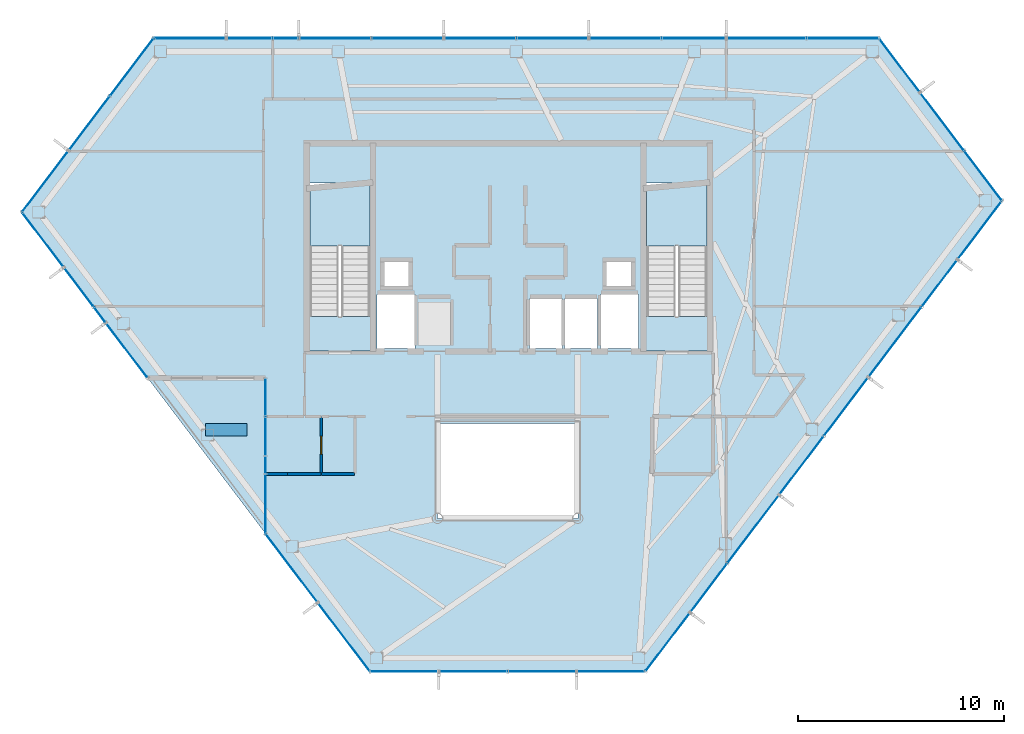
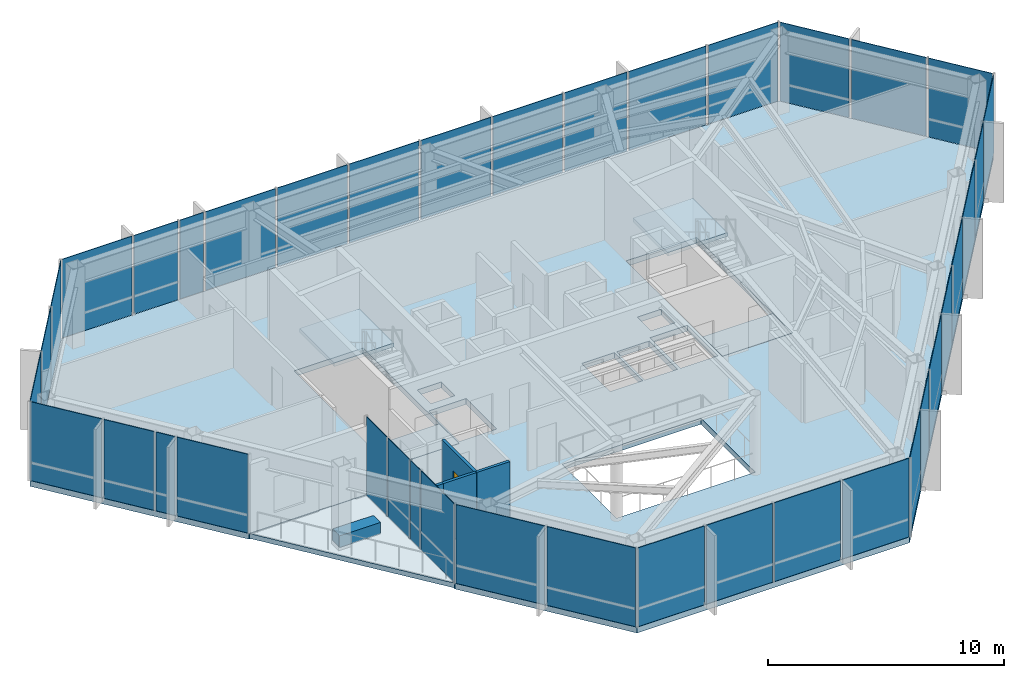
# One storey, part 18 of 23: 39 plates, 6 slabs, 5 walls, 1 door, 1 opening, 10 elements without a shape of their own.
"""IFC4 building model written with IfcOpenShell, lengths in metres."""

from ifc_helpers import new_model, si_unit, direction, frame, frame_2d, origin, origin_2d, place, context, subcontext, project, spatial, polyline, rectangle, outline, extrude, material, layer, layer_set, type_object, element, fill, aggregate, save


model = new_model("IFC4")

# Units and contexts
model_context = context("Model", 3, precision=1e-05, world=origin(), true_north=direction((0.0, 1.0)))
body_context = subcontext(model_context, "Body", "Model", "MODEL_VIEW")
ifc_project = project(units=[si_unit("LENGTHUNIT", "METRE"), si_unit("AREAUNIT", "SQUARE_METRE"), si_unit("VOLUMEUNIT", "CUBIC_METRE"), si_unit("PLANEANGLEUNIT", "RADIAN"), si_unit("MASSUNIT", "GRAM", prefix="KILO")], contexts=[model_context])

# Site, building, storey
site_placement = place(None, origin())
site = spatial("IfcSite", under=ifc_project, at=site_placement, CompositionType="ELEMENT")
building_placement = place(site_placement, origin())
building = spatial("IfcBuilding", under=site, at=building_placement, Name="Zarrinselat Tower", CompositionType="ELEMENT")
storey_placement = place(building_placement, frame((0.0, 0.0, 199.919921875)))
storey = spatial("IfcBuildingStorey", under=building, at=storey_placement, Name="L49", CompositionType="ELEMENT", Elevation=199.919921875)

# Curtain wall, plates
ifc_material_1 = material(Name="Extruded Aluminium Alloy EN AW-6063 T6", Category="aluminium")
ifc_layer_1 = layer(ifc_material_1, 0.195068359375)
ifc_layer_set_1 = layer_set([ifc_layer_1], Name="Extruded Aluminium Alloy EN AW-6063 T6")
curtain_wall_type_1 = type_object("IfcCurtainWallType", Name="CWS-GDN", PredefinedType="NOTDEFINED", material=ifc_layer_set_1)
curtain_wall_1_placement = place(storey_placement, origin())
curtain_wall_1 = element("IfcCurtainWall", 1, at=curtain_wall_1_placement, inside=storey, type_object=curtain_wall_type_1, Name="L49 Unitised Curtain Wall CW-L49-E01", PredefinedType="NOTDEFINED")
ifc_material_2 = material(Name="Double Low-E Laminated Solar Glass", Category="glass")
ifc_layer_2 = layer(ifc_material_2, 0.031982421875)
ifc_layer_set_2 = layer_set([ifc_layer_2], Name="Double Low-E Laminated Solar Glass")
plate_type = type_object("IfcPlateType", Name="PLT-CW-GL32", PredefinedType="CURTAIN_PANEL", material=ifc_layer_set_2)
plate_1_placement = place(storey_placement, frame((15.970703125, 41.547119140625, 0.02001953125), z_axis=(0.0, 0.0, 1.0), x_axis=(0.603857870018, 0.797092010258, 0.0)))
plate_1 = element("IfcPlate", 2, at=plate_1_placement, type_object=plate_type, Name="CW-L49-E01 Vision Glass Panel 1", PredefinedType="CURTAIN_PANEL", context=body_context, shape_type="SweptSolid", body=[
    extrude(rectangle(XDim=3.636474609375, YDim=0.031982421875, at=origin_2d()), origin(), (0.0, 0.0, 1.0), 4.080078125),
])
plate_2_placement = place(storey_placement, frame((18.099853515625, 44.357421875, 0.02001953125), z_axis=(0.0, 0.0, 1.0), x_axis=(0.603857870018, 0.797092010258, 0.0)))
plate_2 = element("IfcPlate", 3, at=plate_2_placement, type_object=plate_type, Name="CW-L49-E01 Vision Glass Panel 2", PredefinedType="CURTAIN_PANEL", context=body_context, shape_type="SweptSolid", body=[
    extrude(rectangle(XDim=3.215087890625, YDim=0.031982421875, at=origin_2d()), origin(), (0.0, 0.0, 1.0), 4.080078125),
])
plate_3_placement = place(storey_placement, frame((20.165283203125, 47.083740234375, 0.02001953125), z_axis=(0.0, 0.0, 1.0), x_axis=(0.603857870018, 0.797092010258, 0.0)))
plate_3 = element("IfcPlate", 4, at=plate_3_placement, type_object=plate_type, Name="CW-L49-E01 Vision Glass Panel 3", PredefinedType="CURTAIN_PANEL", context=body_context, shape_type="SweptSolid", body=[
    extrude(rectangle(XDim=3.42578125, YDim=0.031982421875, at=origin_2d()), origin(), (0.0, 0.0, 1.0), 4.080078125),
])
aggregate(curtain_wall_1, [plate_1, plate_2, plate_3])

curtain_wall_2_placement = place(storey_placement, origin())
curtain_wall_2 = element("IfcCurtainWall", 5, at=curtain_wall_2_placement, inside=storey, type_object=curtain_wall_type_1, Name="L49 Unitised Curtain Wall CW-L49-E02", PredefinedType="NOTDEFINED")
plate_4_placement = place(storey_placement, frame((22.988525390625, 48.489013671875, 0.02001953125), z_axis=(0.0, 0.0, 1.0), x_axis=(1.0, 0.0, 0.0)))
plate_4 = element("IfcPlate", 6, at=plate_4_placement, type_object=plate_type, Name="CW-L49-E02 Vision Glass Panel 1", PredefinedType="CURTAIN_PANEL", context=body_context, shape_type="SweptSolid", body=[
    extrude(rectangle(XDim=3.417236328125, YDim=0.031982421875, at=origin_2d()), origin(), (0.0, 0.0, 1.0), 4.080078125),
])
plate_5_placement = place(storey_placement, frame((25.87353515625, 48.489013671875, 0.02001953125), z_axis=(0.0, 0.0, 1.0), x_axis=(1.0, 0.0, 0.0)))
plate_5 = element("IfcPlate", 7, at=plate_5_placement, type_object=plate_type, Name="CW-L49-E02 Vision Glass Panel 2", PredefinedType="CURTAIN_PANEL", context=body_context, shape_type="SweptSolid", body=[
    extrude(rectangle(XDim=2.15283203125, YDim=0.031982421875, at=origin_2d()), origin(), (0.0, 0.0, 1.0), 4.080078125),
])
plate_6_placement = place(storey_placement, frame((27.632080078125, 48.489013671875, 0.02001953125), z_axis=(0.0, 0.0, 1.0), x_axis=(1.0, 0.0, 0.0)))
plate_6 = element("IfcPlate", 8, at=plate_6_placement, type_object=plate_type, Name="CW-L49-E02 Vision Glass Panel 3", PredefinedType="CURTAIN_PANEL", context=body_context, shape_type="SweptSolid", body=[
    extrude(rectangle(XDim=1.164306640625, YDim=0.031982421875, at=origin_2d()), origin(), (0.0, 0.0, 1.0), 4.080078125),
])
plate_7_placement = place(storey_placement, frame((30.023193359375, 48.489013671875, 0.02001953125), z_axis=(0.0, 0.0, 1.0), x_axis=(1.0, 0.0, 0.0)))
plate_7 = element("IfcPlate", 9, at=plate_7_placement, type_object=plate_type, Name="CW-L49-E02 Vision Glass Panel 4", PredefinedType="CURTAIN_PANEL", context=body_context, shape_type="SweptSolid", body=[
    extrude(rectangle(XDim=3.417236328125, YDim=0.031982421875, at=origin_2d()), origin(), (0.0, 0.0, 1.0), 4.080078125),
])
plate_8_placement = place(storey_placement, frame((33.540283203125, 48.489013671875, 0.02001953125), z_axis=(0.0, 0.0, 1.0), x_axis=(1.0, 0.0, 0.0)))
plate_8 = element("IfcPlate", 10, at=plate_8_placement, type_object=plate_type, Name="CW-L49-E02 Vision Glass Panel 5", PredefinedType="CURTAIN_PANEL", context=body_context, shape_type="SweptSolid", body=[
    extrude(rectangle(XDim=3.417236328125, YDim=0.031982421875, at=origin_2d()), origin(), (0.0, 0.0, 1.0), 4.080078125),
])
plate_9_placement = place(storey_placement, frame((37.0576171875, 48.489013671875, 0.02001953125), z_axis=(0.0, 0.0, 1.0), x_axis=(1.0, 0.0, 0.0)))
plate_9 = element("IfcPlate", 11, at=plate_9_placement, type_object=plate_type, Name="CW-L49-E02 Vision Glass Panel 6", PredefinedType="CURTAIN_PANEL", context=body_context, shape_type="SweptSolid", body=[
    extrude(rectangle(XDim=3.417236328125, YDim=0.031982421875, at=origin_2d()), origin(), (0.0, 0.0, 1.0), 4.080078125),
])
plate_10_placement = place(storey_placement, frame((40.574951171875, 48.489013671875, 0.02001953125), z_axis=(0.0, 0.0, 1.0), x_axis=(1.0, 0.0, 0.0)))
plate_10 = element("IfcPlate", 12, at=plate_10_placement, type_object=plate_type, Name="CW-L49-E02 Vision Glass Panel 7", PredefinedType="CURTAIN_PANEL", context=body_context, shape_type="SweptSolid", body=[
    extrude(rectangle(XDim=3.417236328125, YDim=0.031982421875, at=origin_2d()), origin(), (0.0, 0.0, 1.0), 4.080078125),
])
plate_11_placement = place(storey_placement, frame((44.09228515625, 48.489013671875, 0.02001953125), z_axis=(0.0, 0.0, 1.0), x_axis=(1.0, 0.0, 0.0)))
plate_11 = element("IfcPlate", 13, at=plate_11_placement, type_object=plate_type, Name="CW-L49-E02 Vision Glass Panel 8", PredefinedType="CURTAIN_PANEL", context=body_context, shape_type="SweptSolid", body=[
    extrude(rectangle(XDim=3.417236328125, YDim=0.031982421875, at=origin_2d()), origin(), (0.0, 0.0, 1.0), 4.080078125),
])
plate_12_placement = place(storey_placement, frame((47.42529296875, 48.489013671875, 0.02001953125), z_axis=(0.0, 0.0, 1.0), x_axis=(1.0, 0.0, 0.0)))
plate_12 = element("IfcPlate", 14, at=plate_12_placement, type_object=plate_type, Name="CW-L49-E02 Vision Glass Panel 9", PredefinedType="CURTAIN_PANEL", context=body_context, shape_type="SweptSolid", body=[
    extrude(rectangle(XDim=3.04931640625, YDim=0.031982421875, at=origin_2d()), origin(), (0.0, 0.0, 1.0), 4.080078125),
])
plate_13_placement = place(storey_placement, frame((50.942626953125, 48.489013671875, 0.02001953125), z_axis=(0.0, 0.0, 1.0), x_axis=(1.0, 0.0, 0.0)))
plate_13 = element("IfcPlate", 15, at=plate_13_placement, type_object=plate_type, Name="CW-L49-E02 Vision Glass Panel 10", PredefinedType="CURTAIN_PANEL", context=body_context, shape_type="SweptSolid", body=[
    extrude(rectangle(XDim=3.785400390625, YDim=0.031982421875, at=origin_2d()), origin(), (0.0, 0.0, 1.0), 4.080078125),
])
plate_14_placement = place(storey_placement, frame((54.64404296875, 48.489013671875, 0.02001953125), z_axis=(0.0, 0.0, 1.0), x_axis=(1.0, 0.0, 0.0)))
plate_14 = element("IfcPlate", 16, at=plate_14_placement, type_object=plate_type, Name="CW-L49-E02 Vision Glass Panel 11", PredefinedType="CURTAIN_PANEL", context=body_context, shape_type="SweptSolid", body=[
    extrude(rectangle(XDim=3.417236328125, YDim=0.031982421875, at=origin_2d()), origin(), (0.0, 0.0, 1.0), 4.080078125),
])
aggregate(curtain_wall_2, [plate_4, plate_5, plate_6, plate_7, plate_8, plate_9, plate_10, plate_11, plate_12, plate_13, plate_14])

curtain_wall_3_placement = place(storey_placement, origin())
curtain_wall_3 = element("IfcCurtainWall", 17, at=curtain_wall_3_placement, inside=storey, type_object=curtain_wall_type_1, Name="L49 Unitised Curtain Wall CW-L49-E03", PredefinedType="NOTDEFINED")
plate_15_placement = place(storey_placement, frame((57.397705078125, 47.17529296875, 0.02001953125), z_axis=(0.0, 0.0, 1.0), x_axis=(0.603852236026, -0.797096278405, 0.0)))
plate_15 = element("IfcPlate", 18, at=plate_15_placement, type_object=plate_type, Name="CW-L49-E03 Vision Glass Panel 1", PredefinedType="CURTAIN_PANEL", context=body_context, shape_type="SweptSolid", body=[
    extrude(rectangle(XDim=3.196044921875, YDim=0.031982421875, at=origin_2d()), origin(), (0.0, 0.0, 1.0), 4.080078125),
])
plate_16_placement = place(storey_placement, frame((59.463134765625, 44.448974609375, 0.02001953125), z_axis=(0.0, 0.0, 1.0), x_axis=(0.603852236026, -0.797096278405, 0.0)))
plate_16 = element("IfcPlate", 19, at=plate_16_placement, type_object=plate_type, Name="CW-L49-E03 Vision Glass Panel 2", PredefinedType="CURTAIN_PANEL", context=body_context, shape_type="SweptSolid", body=[
    extrude(rectangle(XDim=3.44482421875, YDim=0.031982421875, at=origin_2d()), origin(), (0.0, 0.0, 1.0), 4.080078125),
])
plate_17_placement = place(storey_placement, frame((61.45361328125, 41.82177734375, 0.02001953125), z_axis=(0.0, 0.0, 1.0), x_axis=(0.603852236026, -0.797096278405, 0.0)))
plate_17 = element("IfcPlate", 20, at=plate_17_placement, type_object=plate_type, Name="CW-L49-E03 Vision Glass Panel 3", PredefinedType="CURTAIN_PANEL", context=body_context, shape_type="SweptSolid", body=[
    extrude(rectangle(XDim=2.947265625, YDim=0.031982421875, at=origin_2d()), origin(), (0.0, 0.0, 1.0), 4.080078125),
])
aggregate(curtain_wall_3, [plate_15, plate_16, plate_17])

curtain_wall_4_placement = place(storey_placement, origin())
curtain_wall_4 = element("IfcCurtainWall", 21, at=curtain_wall_4_placement, inside=storey, type_object=curtain_wall_type_1, Name="L49 Unitised Curtain Wall CW-L49-E04", PredefinedType="NOTDEFINED")
plate_18_placement = place(storey_placement, frame((61.292724609375, 39.1806640625, 0.02001953125), z_axis=(0.0, 0.0, 1.0), x_axis=(-0.603858158606, -0.79709179163, 0.0)))
plate_18 = element("IfcPlate", 22, at=plate_18_placement, type_object=plate_type, Name="CW-L49-E04 Vision Glass Panel 1", PredefinedType="CURTAIN_PANEL", context=body_context, shape_type="SweptSolid", body=[
    extrude(rectangle(XDim=3.479736328125, YDim=0.031982421875, at=origin_2d()), origin(), (0.0, 0.0, 1.0), 4.080078125),
])
plate_19_placement = place(storey_placement, frame((59.344482421875, 36.60888671875, 0.02001953125), z_axis=(0.0, 0.0, 1.0), x_axis=(-0.603858158606, -0.79709179163, 0.0)))
plate_19 = element("IfcPlate", 23, at=plate_19_placement, type_object=plate_type, Name="CW-L49-E04 Vision Glass Panel 2", PredefinedType="CURTAIN_PANEL", context=body_context, shape_type="SweptSolid", body=[
    extrude(rectangle(XDim=2.773193359375, YDim=0.031982421875, at=origin_2d()), origin(), (0.0, 0.0, 1.0), 4.080078125),
])
plate_20_placement = place(storey_placement, frame((57.182861328125, 33.755615234375, 0.02001953125), z_axis=(0.0, 0.0, 1.0), x_axis=(-0.603858158606, -0.79709179163, 0.0)))
plate_20 = element("IfcPlate", 24, at=plate_20_placement, type_object=plate_type, Name="CW-L49-E04 Vision Glass Panel 3", PredefinedType="CURTAIN_PANEL", context=body_context, shape_type="SweptSolid", body=[
    extrude(rectangle(XDim=4.186279296875, YDim=0.031982421875, at=origin_2d()), origin(), (0.0, 0.0, 1.0), 4.080078125),
])
plate_21_placement = place(storey_placement, frame((54.807861328125, 30.62060546875, 0.02001953125), z_axis=(0.0, 0.0, 1.0), x_axis=(-0.603858158606, -0.79709179163, 0.0)))
plate_21 = element("IfcPlate", 25, at=plate_21_placement, type_object=plate_type, Name="CW-L49-E04 Vision Glass Panel 4", PredefinedType="CURTAIN_PANEL", context=body_context, shape_type="SweptSolid", body=[
    extrude(rectangle(XDim=3.479736328125, YDim=0.031982421875, at=origin_2d()), origin(), (0.0, 0.0, 1.0), 4.080078125),
])
plate_22_placement = place(storey_placement, frame((52.646240234375, 27.767333984375, 0.02001953125), z_axis=(0.0, 0.0, 1.0), x_axis=(-0.603858158606, -0.79709179163, 0.0)))
plate_22 = element("IfcPlate", 26, at=plate_22_placement, type_object=plate_type, Name="CW-L49-E04 Vision Glass Panel 5", PredefinedType="CURTAIN_PANEL", context=body_context, shape_type="SweptSolid", body=[
    extrude(rectangle(XDim=3.479736328125, YDim=0.031982421875, at=origin_2d()), origin(), (0.0, 0.0, 1.0), 4.080078125),
])
plate_23_placement = place(storey_placement, frame((50.306640625, 24.67919921875, 0.02001953125), z_axis=(0.0, 0.0, 1.0), x_axis=(-0.603858158606, -0.79709179163, 0.0)))
plate_23 = element("IfcPlate", 27, at=plate_23_placement, type_object=plate_type, Name="CW-L49-E04 Vision Glass Panel 6", PredefinedType="CURTAIN_PANEL", context=body_context, shape_type="SweptSolid", body=[
    extrude(rectangle(XDim=4.069091796875, YDim=0.031982421875, at=origin_2d()), origin(), (0.0, 0.0, 1.0), 4.080078125),
])
plate_24_placement = place(storey_placement, frame((48.14501953125, 21.82568359375, 0.02001953125), z_axis=(0.0, 0.0, 1.0), x_axis=(-0.603858158606, -0.79709179163, 0.0)))
plate_24 = element("IfcPlate", 28, at=plate_24_placement, type_object=plate_type, Name="CW-L49-E04 Vision Glass Panel 7", PredefinedType="CURTAIN_PANEL", context=body_context, shape_type="SweptSolid", body=[
    extrude(rectangle(XDim=2.89013671875, YDim=0.031982421875, at=origin_2d()), origin(), (0.0, 0.0, 1.0), 4.080078125),
])
plate_25_placement = place(storey_placement, frame((46.161376953125, 19.20751953125, 0.02001953125), z_axis=(0.0, 0.0, 1.0), x_axis=(-0.603858158606, -0.79709179163, 0.0)))
plate_25 = element("IfcPlate", 29, at=plate_25_placement, type_object=plate_type, Name="CW-L49-E04 Vision Glass Panel 8", PredefinedType="CURTAIN_PANEL", context=body_context, shape_type="SweptSolid", body=[
    extrude(rectangle(XDim=3.479736328125, YDim=0.031982421875, at=origin_2d()), origin(), (0.0, 0.0, 1.0), 4.080078125),
])
aggregate(curtain_wall_4, [plate_18, plate_19, plate_20, plate_21, plate_22, plate_23, plate_24, plate_25])

curtain_wall_5_placement = place(storey_placement, origin())
curtain_wall_5 = element("IfcCurtainWall", 30, at=curtain_wall_5_placement, inside=storey, type_object=curtain_wall_type_1, Name="L49 Unitised Curtain Wall CW-L49-E05", PredefinedType="NOTDEFINED")
plate_26_placement = place(storey_placement, frame((43.410400390625, 17.78076171875, 0.02001953125), z_axis=(0.0, 0.0, 1.0), x_axis=(-1.0, 0.0, 0.0)))
plate_26 = element("IfcPlate", 31, at=plate_26_placement, type_object=plate_type, Name="CW-L49-E05 Vision Glass Panel 1", PredefinedType="CURTAIN_PANEL", context=body_context, shape_type="SweptSolid", body=[
    extrude(rectangle(XDim=3.240234375, YDim=0.031982421875, at=origin_2d()), origin(), (0.0, 0.0, 1.0), 4.080078125),
])
plate_27_placement = place(storey_placement, frame((40.070068359375, 17.78076171875, 0.02001953125), z_axis=(0.0, 0.0, 1.0), x_axis=(-1.0, 0.0, 0.0)))
plate_27 = element("IfcPlate", 32, at=plate_27_placement, type_object=plate_type, Name="CW-L49-E05 Vision Glass Panel 2", PredefinedType="CURTAIN_PANEL", context=body_context, shape_type="SweptSolid", body=[
    extrude(rectangle(XDim=3.240234375, YDim=0.031982421875, at=origin_2d()), origin(), (0.0, 0.0, 1.0), 4.080078125),
])
plate_28_placement = place(storey_placement, frame((36.729736328125, 17.78076171875, 0.02001953125), z_axis=(0.0, 0.0, 1.0), x_axis=(-1.0, 0.0, 0.0)))
plate_28 = element("IfcPlate", 33, at=plate_28_placement, type_object=plate_type, Name="CW-L49-E05 Vision Glass Panel 3", PredefinedType="CURTAIN_PANEL", context=body_context, shape_type="SweptSolid", body=[
    extrude(rectangle(XDim=3.240234375, YDim=0.031982421875, at=origin_2d()), origin(), (0.0, 0.0, 1.0), 4.080078125),
])
plate_29_placement = place(storey_placement, frame((33.389404296875, 17.78076171875, 0.02001953125), z_axis=(0.0, 0.0, 1.0), x_axis=(-1.0, 0.0, 0.0)))
plate_29 = element("IfcPlate", 34, at=plate_29_placement, type_object=plate_type, Name="CW-L49-E05 Vision Glass Panel 4", PredefinedType="CURTAIN_PANEL", context=body_context, shape_type="SweptSolid", body=[
    extrude(rectangle(XDim=3.240234375, YDim=0.031982421875, at=origin_2d()), origin(), (0.0, 0.0, 1.0), 4.080078125),
])
aggregate(curtain_wall_5, [plate_26, plate_27, plate_28, plate_29])

curtain_wall_6_placement = place(storey_placement, origin())
curtain_wall_6 = element("IfcCurtainWall", 35, at=curtain_wall_6_placement, inside=storey, type_object=curtain_wall_type_1, Name="L49 Unitised Curtain Wall CW-L49-E06", PredefinedType="NOTDEFINED")
plate_30_placement = place(storey_placement, frame((30.4541015625, 19.451171875, 0.02001953125), z_axis=(0.0, 0.0, 1.0), x_axis=(-0.603858445775, 0.797091574078, 0.0)))
plate_30 = element("IfcPlate", 36, at=plate_30_placement, type_object=plate_type, Name="CW-L49-E06 Vision Glass Panel 1", PredefinedType="CURTAIN_PANEL", context=body_context, shape_type="SweptSolid", body=[
    extrude(rectangle(XDim=4.091064453125, YDim=0.031982421875, at=origin_2d()), origin(), (0.0, 0.0, 1.0), 4.080078125),
])
plate_31_placement = place(storey_placement, frame((27.923095703125, 22.791748046875, 0.02001953125), z_axis=(0.0, 0.0, 1.0), x_axis=(-0.603858445775, 0.797091574078, 0.0)))
plate_31 = element("IfcPlate", 37, at=plate_31_placement, type_object=plate_type, Name="CW-L49-E06 Vision Glass Panel 2", PredefinedType="CURTAIN_PANEL", context=body_context, shape_type="SweptSolid", body=[
    extrude(rectangle(XDim=4.091064453125, YDim=0.031982421875, at=origin_2d()), origin(), (0.0, 0.0, 1.0), 4.080078125),
])
aggregate(curtain_wall_6, [plate_30, plate_31])

ifc_material_3 = material(Name="Extruded Aluminium Alloy EN AW-6063 T6", Category="aluminium")
ifc_layer_3 = layer(ifc_material_3, 0.18994140625)
ifc_layer_set_3 = layer_set([ifc_layer_3], Name="Extruded Aluminium Alloy EN AW-6063 T6")
curtain_wall_type_2 = type_object("IfcCurtainWallType", Name="CWS-SG", PredefinedType="NOTDEFINED", material=ifc_layer_set_3)
curtain_wall_7_placement = place(storey_placement, origin())
curtain_wall_7 = element("IfcCurtainWall", 38, at=curtain_wall_7_placement, inside=storey, type_object=curtain_wall_type_2, Name="L49 Unitised Curtain Wall CW-L49-E07", PredefinedType="NOTDEFINED")
plate_32_placement = place(storey_placement, frame((26.65771484375, 25.906005859375, 0.02001953125), z_axis=(0.0, 0.0, 1.0), x_axis=(0.0, 1.0, 0.0)))
plate_32 = element("IfcPlate", 39, at=plate_32_placement, type_object=plate_type, Name="CW-L49-E07 Vision Glass Panel 1", PredefinedType="CURTAIN_PANEL", context=body_context, shape_type="SweptSolid", body=[
    extrude(rectangle(XDim=2.787841796875, YDim=0.031982421875, at=origin_2d()), origin(), (0.0, 0.0, 1.0), 4.080078125),
])
plate_33_placement = place(storey_placement, frame((26.65771484375, 27.79052734375, 0.02001953125), z_axis=(0.0, 0.0, 1.0), x_axis=(0.0, 1.0, 0.0)))
plate_33 = element("IfcPlate", 40, at=plate_33_placement, type_object=plate_type, Name="CW-L49-E07 Vision Glass Panel 2", PredefinedType="CURTAIN_PANEL", context=body_context, shape_type="SweptSolid", body=[
    extrude(rectangle(XDim=0.781005859375, YDim=0.031982421875, at=origin_2d()), origin(), (0.0, 0.0, 1.0), 4.080078125),
])
plate_34_placement = place(storey_placement, frame((26.65771484375, 29.1904296875, 0.02001953125), z_axis=(0.0, 0.0, 1.0), x_axis=(0.0, 1.0, 0.0)))
plate_34 = element("IfcPlate", 41, at=plate_34_placement, type_object=plate_type, Name="CW-L49-E07 Vision Glass Panel 3", PredefinedType="CURTAIN_PANEL", context=body_context, shape_type="SweptSolid", body=[
    extrude(rectangle(XDim=1.81884765625, YDim=0.031982421875, at=origin_2d()), origin(), (0.0, 0.0, 1.0), 4.080078125),
])
plate_35_placement = place(storey_placement, frame((26.65771484375, 31.074951171875, 0.02001953125), z_axis=(0.0, 0.0, 1.0), x_axis=(0.0, 1.0, 0.0)))
plate_35 = element("IfcPlate", 42, at=plate_35_placement, type_object=plate_type, Name="CW-L49-E07 Vision Glass Panel 4", PredefinedType="CURTAIN_PANEL", context=body_context, shape_type="SweptSolid", body=[
    extrude(rectangle(XDim=1.75, YDim=0.031982421875, at=origin_2d()), origin(), (0.0, 0.0, 1.0), 4.080078125),
])
aggregate(curtain_wall_7, [plate_32, plate_33, plate_34, plate_35])

curtain_wall_8_placement = place(storey_placement, origin())
curtain_wall_8 = element("IfcCurtainWall", 43, at=curtain_wall_8_placement, inside=storey, type_object=curtain_wall_type_1, Name="L49 Unitised Curtain Wall CW-L49-E25", PredefinedType="NOTDEFINED")
plate_36_placement = place(storey_placement, frame((19.92041015625, 33.35546875, 0.02001953125), z_axis=(0.0, 0.0, 1.0), x_axis=(-0.603858445775, 0.797091574078, 0.0)))
plate_36 = element("IfcPlate", 44, at=plate_36_placement, type_object=plate_type, Name="CW-L49-E25 Vision Glass Panel 1", PredefinedType="CURTAIN_PANEL", context=body_context, shape_type="SweptSolid", body=[
    extrude(rectangle(XDim=3.263427734375, YDim=0.031982421875, at=origin_2d()), origin(), (0.0, 0.0, 1.0), 4.080078125),
])
plate_37_placement = place(storey_placement, frame((18.614013671875, 35.079833984375, 0.02001953125), z_axis=(0.0, 0.0, 1.0), x_axis=(-0.603858445775, 0.797091574078, 0.0)))
plate_37 = element("IfcPlate", 45, at=plate_37_placement, type_object=plate_type, Name="CW-L49-E25 Vision Glass Panel 2", PredefinedType="CURTAIN_PANEL", context=body_context, shape_type="SweptSolid", body=[
    extrude(rectangle(XDim=0.86328125, YDim=0.031982421875, at=origin_2d()), origin(), (0.0, 0.0, 1.0), 4.080078125),
])
plate_38_placement = place(storey_placement, frame((17.598388671875, 36.42041015625, 0.02001953125), z_axis=(0.0, 0.0, 1.0), x_axis=(-0.603858445775, 0.797091574078, 0.0)))
plate_38 = element("IfcPlate", 46, at=plate_38_placement, type_object=plate_type, Name="CW-L49-E25 Vision Glass Panel 3", PredefinedType="CURTAIN_PANEL", context=body_context, shape_type="SweptSolid", body=[
    extrude(rectangle(XDim=2.30029296875, YDim=0.031982421875, at=origin_2d()), origin(), (0.0, 0.0, 1.0), 4.080078125),
])
plate_39_placement = place(storey_placement, frame((15.858154296875, 38.71728515625, 0.02001953125), z_axis=(0.0, 0.0, 1.0), x_axis=(-0.603858445775, 0.797091574078, 0.0)))
plate_39 = element("IfcPlate", 47, at=plate_39_placement, type_object=plate_type, Name="CW-L49-E25 Vision Glass Panel 4", PredefinedType="CURTAIN_PANEL", context=body_context, shape_type="SweptSolid", body=[
    extrude(rectangle(XDim=3.263427734375, YDim=0.031982421875, at=origin_2d()), origin(), (0.0, 0.0, 1.0), 4.080078125),
])
aggregate(curtain_wall_8, [plate_36, plate_37, plate_38, plate_39])

# Slabs
ifc_material_4 = material(Name="Concrete C40/50", Category="concrete")
ifc_layer_4 = layer(ifc_material_4, 0.300048828125)
ifc_layer_set_4 = layer_set([ifc_layer_4], Name="Concrete C40/50")
slab_type_1 = type_object("IfcSlabType", Name="SLB-FLOOR-300-SL-SK300", PredefinedType="FLOOR", material=ifc_layer_set_4)
slab_1_placement = place(storey_placement, frame((0.0, 0.0, -0.2998046875)))
element("IfcSlab", 48, at=slab_1_placement, inside=storey, type_object=slab_type_1, Name="L49 Primary Structural Slab", PredefinedType="FLOOR", context=body_context, shape_type="SweptSolid", body=[
    extrude(outline(polyline([(14.8427734375, 40.057861328125), (21.22998046875, 48.489013671875), (56.402587890625, 48.489013671875), (62.37353515625, 40.607421875), (45.08056640625, 17.78076171875), (31.719482421875, 17.78076171875), (26.65771484375, 24.462158203125), (26.65771484375, 32.0), (26.65771484375, 32.00146484375), (26.657470703125, 32.0029296875), (26.656982421875, 32.00439453125), (26.656494140625, 32.005615234375), (26.656005859375, 32.007080078125), (26.6552734375, 32.00830078125), (26.654296875, 32.009521484375), (26.6533203125, 32.010498046875), (26.652099609375, 32.01171875), (26.65087890625, 32.012451171875), (26.64990234375, 32.01318359375), (26.6484375, 32.013916015625), (26.647216796875, 32.014404296875), (26.6455078125, 32.0146484375), (26.644287109375, 32.014892578125), (26.642578125, 32.014892578125), (20.935791015625, 32.014892578125), (14.8427734375, 40.057861328125)]), holes=[polyline([(41.800048828125, 25.199951171875), (35.0, 25.199951171875), (35.0, 29.800048828125), (41.800048828125, 29.800048828125), (41.800048828125, 25.199951171875)]), polyline([(41.050048828125, 33.449951171875), (39.449951171875, 33.449951171875), (39.449951171875, 35.85009765625), (41.050048828125, 35.85009765625), (41.050048828125, 33.449951171875)]), polyline([(42.75, 33.449951171875), (41.14990234375, 33.449951171875), (41.14990234375, 35.85009765625), (42.75, 35.85009765625), (42.75, 33.449951171875)]), polyline([(33.89990234375, 33.449951171875), (32.06005859375, 33.449951171875), (32.06005859375, 36.050048828125), (33.89990234375, 36.050048828125), (33.89990234375, 33.449951171875)]), polyline([(44.739990234375, 33.449951171875), (42.89990234375, 33.449951171875), (42.89990234375, 36.050048828125), (44.739990234375, 36.050048828125), (44.739990234375, 33.449951171875)]), polyline([(33.60009765625, 36.47998046875), (32.419921875, 36.47998046875), (32.419921875, 37.639892578125), (33.60009765625, 37.639892578125), (33.60009765625, 36.47998046875)]), polyline([(44.3798828125, 36.47998046875), (43.199951171875, 36.47998046875), (43.199951171875, 37.639892578125), (44.3798828125, 37.639892578125), (44.3798828125, 36.47998046875)]), polyline([(31.985107421875, 33.324951171875), (28.60498046875, 33.324951171875), (28.60498046875, 41.47509765625), (31.985107421875, 41.47509765625), (31.985107421875, 33.324951171875)]), polyline([(48.324951171875, 33.324951171875), (44.875, 33.324951171875), (44.875, 41.47509765625), (48.324951171875, 41.47509765625), (48.324951171875, 33.324951171875)])]), origin(), (0.0, 0.0, 1.0), 0.2998046875),
])
slab_2_placement = place(storey_placement, frame((0.0, 0.0, -0.2998046875)))
element("IfcSlab", 49, at=slab_2_placement, inside=storey, type_object=slab_type_1, Name="L49 Stair ST-1-FL1 Structural Floor Landing", PredefinedType="FLOOR", context=body_context, shape_type="SweptSolid", body=[
    extrude(outline(polyline([(31.97998046875, 33.330078125), (31.97998046875, 35.0), (28.610107421875, 35.0), (28.610107421875, 33.330078125), (31.97998046875, 33.330078125)])), origin(), (0.0, 0.0, 1.0), 0.2998046875),
])
slab_3_placement = place(storey_placement, frame((0.0, 0.0, -0.2998046875)))
element("IfcSlab", 50, at=slab_3_placement, inside=storey, type_object=slab_type_1, Name="L49 Stair ST-2-FL1 Structural Floor Landing", PredefinedType="FLOOR", context=body_context, shape_type="SweptSolid", body=[
    extrude(outline(polyline([(48.320068359375, 33.330078125), (48.320068359375, 35.0), (44.8798828125, 35.0), (44.8798828125, 33.330078125), (48.320068359375, 33.330078125)])), origin(), (0.0, 0.0, 1.0), 0.2998046875),
])

# Stair, slab
ifc_material_5 = material(Name="Concrete C40/50", Category="concrete")
stair_type = type_object("IfcStairType", Name="STR-CORE-155", PredefinedType="HALF_TURN_STAIR", material=ifc_material_5)
stair_1_placement = place(storey_placement, origin())
stair_1 = element("IfcStair", 51, at=stair_1_placement, inside=storey, type_object=stair_type, Name="L49 Core Exit Stair 1", PredefinedType="HALF_TURN_STAIR")
ifc_material_6 = material(Name="Concrete C40/50", Category="concrete")
ifc_layer_5 = layer(ifc_material_6, 0.18994140625)
ifc_layer_set_5 = layer_set([ifc_layer_5], Name="Concrete C40/50")
slab_type_2 = type_object("IfcSlabType", Name="SLB-LND-190", PredefinedType="LANDING", material=ifc_layer_set_5)
slab_4_placement = place(storey_placement, frame((0.0, 0.0, 2.010009765625)))
slab_4 = element("IfcSlab", 52, at=slab_4_placement, type_object=slab_type_2, Name="ST-1 landing 1", PredefinedType="LANDING", context=body_context, shape_type="SweptSolid", body=[
    extrude(outline(polyline([(31.719970703125, 38.409912109375), (31.719970703125, 41.35009765625), (28.800048828125, 41.35009765625), (28.800048828125, 38.409912109375), (31.719970703125, 38.409912109375)])), origin(), (0.0, 0.0, 1.0), 0.199951171875),
])
aggregate(stair_1, [slab_4])

stair_2_placement = place(storey_placement, origin())
stair_2 = element("IfcStair", 53, at=stair_2_placement, inside=storey, type_object=stair_type, Name="L49 Core Exit Stair 2", PredefinedType="HALF_TURN_STAIR")
slab_5_placement = place(storey_placement, frame((0.0, 0.0, 2.010009765625)))
slab_5 = element("IfcSlab", 54, at=slab_5_placement, type_object=slab_type_2, Name="ST-2 landing 1", PredefinedType="LANDING", context=body_context, shape_type="SweptSolid", body=[
    extrude(outline(polyline([(48.06005859375, 38.409912109375), (48.06005859375, 41.35009765625), (45.139892578125, 41.35009765625), (45.139892578125, 38.409912109375), (48.06005859375, 38.409912109375)])), origin(), (0.0, 0.0, 1.0), 0.199951171875),
])
aggregate(stair_2, [slab_5])

# Slab
ifc_material_7 = material(Name="Concrete C40/50", Category="concrete")
ifc_layer_6 = layer(ifc_material_7, 0.25)
ifc_layer_set_6 = layer_set([ifc_layer_6], Name="Concrete C40/50")
slab_type_3 = type_object("IfcSlabType", Name="SLB-ROOF-250-SL-SG250", PredefinedType="ROOF", material=ifc_layer_set_6)
slab_6_placement = place(storey_placement, frame((0.0, 0.0, -0.25)))
element("IfcSlab", 55, at=slab_6_placement, inside=storey, type_object=slab_type_3, Name="L49 Badgir Sky Garden 4 Terrace Slab", PredefinedType="ROOF", context=body_context, shape_type="SweptSolid", body=[
    extrude(outline(polyline([(20.947265625, 32.0), (26.642578125, 32.0), (26.642578125, 24.48193359375), (20.947265625, 32.0)])), origin(), (0.0, 0.0, 1.0), 0.25),
])

# Wall, opening, door
ifc_material_8 = material(Name="Fire-Rated Gypsum Board Partition", Category="gypsum")
ifc_layer_7 = layer(ifc_material_8, 0.135009765625)
ifc_layer_set_7 = layer_set([ifc_layer_7], Name="Fire-Rated Gypsum Board Partition")
wall_type_1 = type_object("IfcWallType", Name="WAL-PART-WET", PredefinedType="PARTITIONING", material=ifc_layer_set_7)
wall_1_placement = place(storey_placement, frame((29.360107421875, 27.3701171875, 0.0), z_axis=(0.0, 0.0, 1.0), x_axis=(0.0, 1.0, 0.0)))
wall_1 = element("IfcWall", 56, at=wall_1_placement, inside=storey, type_object=wall_type_1, Name="L49 Partition Wall 39", PredefinedType="PARTITIONING", context=body_context, shape_type="SweptSolid", body=[
    extrude(rectangle(XDim=2.759765625, YDim=0.135009765625, at=frame_2d((1.3798828125, 0.0))), origin(), (0.0, 0.0, 1.0), 3.0771484375),
])
opening_placement = place(wall_1_placement, frame((0.949951171875, 0.0, 0.0)))
opening = element("IfcOpeningElement", 57, at=opening_placement, cuts=wall_1, Name="Opening ID-06", PredefinedType="OPENING", context=body_context, shape_type="SweptSolid", body=[
    extrude(rectangle(XDim=0.860107421875, YDim=2.050048828125, at=frame_2d((0.43017578125, 1.02490234375))), frame((0.0, 0.077392578125, 0.0), z_axis=(0.0, -1.0, 0.0), x_axis=(1.0, 0.0, 0.0)), (0.0, 0.0, 1.0), 0.155029296875),
])
ifc_material_9 = material(Name="Extruded Aluminium Alloy EN AW-6063 T6", Category="aluminium")
door_type = type_object("IfcDoorType", Name="DR-INT-WET-900", OperationType="NOTDEFINED", PredefinedType="DOOR", material=ifc_material_9)
door_placement = place(opening_placement, origin())
door = element("IfcDoor", 58, at=door_placement, inside=storey, type_object=door_type, Name="L49 Interior Door P39", OperationType="SINGLE_SWING_RIGHT", OverallHeight=2.050048828125, OverallWidth=0.860107421875, PredefinedType="DOOR", context=body_context, shape_type="SweptSolid", body=[
    extrude(rectangle(XDim=0.860107421875, YDim=2.050048828125, at=frame_2d((0.43017578125, 1.02490234375))), frame((0.0, 0.02490234375, 0.0), z_axis=(0.0, -1.0, 0.0), x_axis=(1.0, 0.0, 0.0)), (0.0, 0.0, 1.0), 0.050048828125),
])
fill(opening, door)

# Walls
wall_2_placement = place(storey_placement, frame((29.3798828125, 27.35009765625, 0.0), z_axis=(0.0, 0.0, 1.0), x_axis=(1.0, 0.0, 0.0)))
element("IfcWall", 59, at=wall_2_placement, inside=storey, type_object=wall_type_1, Name="L49 Partition Wall 40", PredefinedType="PARTITIONING", context=body_context, shape_type="SweptSolid", body=[
    extrude(rectangle(XDim=1.60009765625, YDim=0.135009765625, at=frame_2d((0.800048828125, 0.0))), origin(), (0.0, 0.0, 1.0), 3.0771484375),
])
wall_3_placement = place(storey_placement, frame((27.72998046875, 27.35009765625, 0.0), z_axis=(0.0, 0.0, 1.0), x_axis=(1.0, 0.0, 0.0)))
element("IfcWall", 60, at=wall_3_placement, inside=storey, type_object=wall_type_1, Name="L49 Partition Wall 42", PredefinedType="PARTITIONING", context=body_context, shape_type="SweptSolid", body=[
    extrude(rectangle(XDim=1.610107421875, YDim=0.135009765625, at=frame_2d((0.80517578125, 0.0))), origin(), (0.0, 0.0, 1.0), 3.0771484375),
])
wall_4_placement = place(storey_placement, frame((26.672607421875, 27.35009765625, 0.0), z_axis=(0.0, 0.0, 1.0), x_axis=(1.0, 0.0, 0.0)))
element("IfcWall", 61, at=wall_4_placement, inside=storey, type_object=wall_type_1, Name="L49 Partition Wall 43", PredefinedType="PARTITIONING", context=body_context, shape_type="SweptSolid", body=[
    extrude(rectangle(XDim=1.057373046875, YDim=0.135009765625, at=frame_2d((0.52880859375, 0.0))), origin(), (0.0, 0.0, 1.0), 3.0771484375),
])
ifc_material_10 = material(Name="Honed Cream Travertine Stone", Category="masonry")
ifc_layer_8 = layer(ifc_material_10, 0.199951171875)
ifc_layer_set_8 = layer_set([ifc_layer_8], Name="Honed Cream Travertine Stone")
wall_type_2 = type_object("IfcWallType", Name="WAL-PLANTER-200", PredefinedType="PARAPET", material=ifc_layer_set_8)
wall_5_placement = place(storey_placement, frame((23.744140625, 29.493896484375, 0.0), z_axis=(0.0, 0.0, 1.0), x_axis=(1.0, 0.0, 0.0)))
element("IfcWall", 62, at=wall_5_placement, inside=storey, type_object=wall_type_2, Name="L49 Badgir Sky Garden Stone PLANTER Bed", PredefinedType="PARAPET", context=body_context, shape_type="SweptSolid", body=[
    extrude(rectangle(XDim=2.0, YDim=0.60009765625, at=frame_2d((1.0, 0.0))), origin(), (0.0, 0.0, 1.0), 0.60009765625),
])

save(model, "model.ifc")
